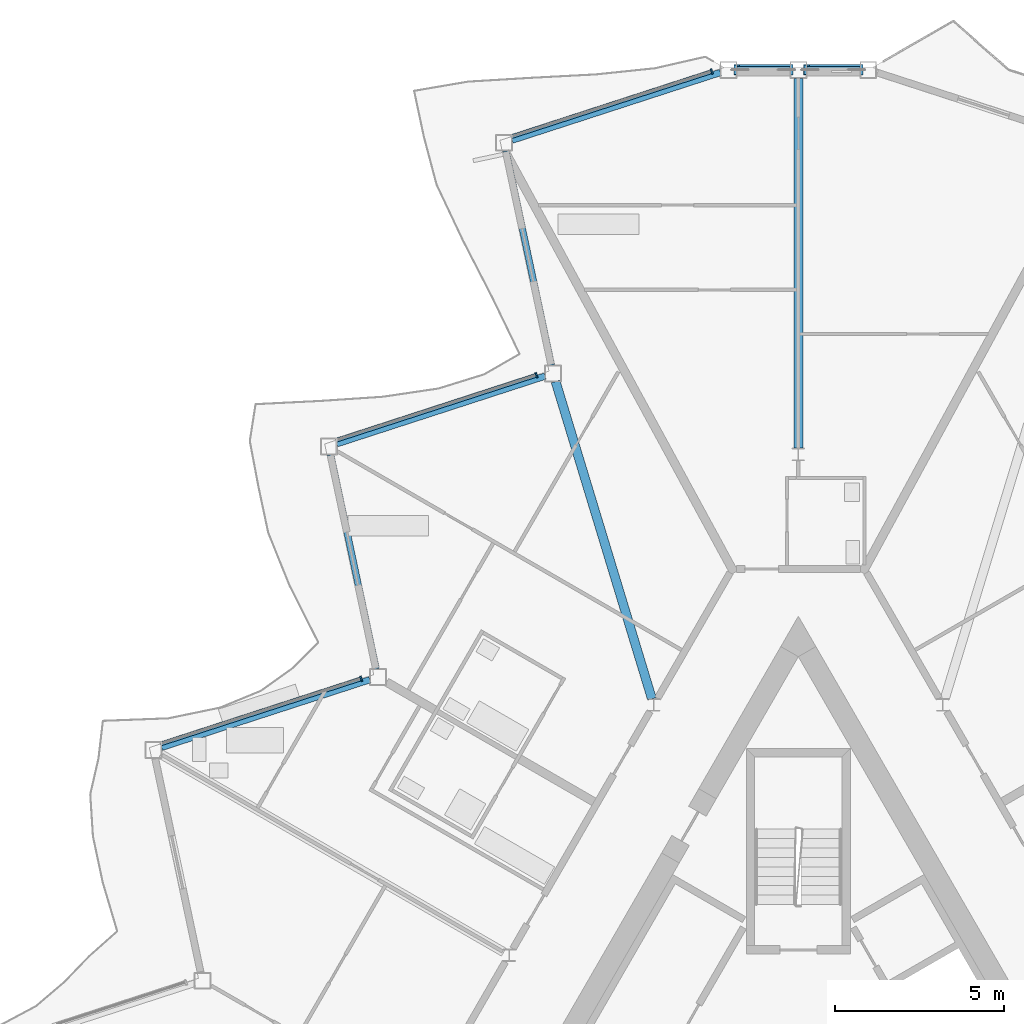
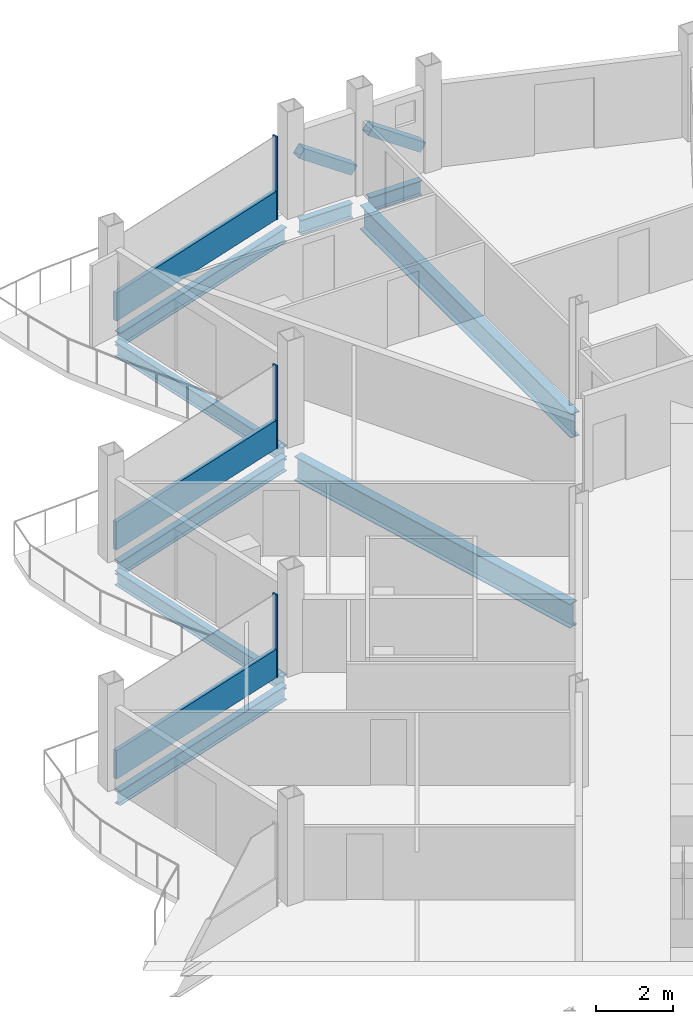
# One storey, part 9 of 26: 9 beams, 8 members, 3 elements without a shape of their own.
"""IFC4 building model written with IfcOpenShell, lengths in metres."""

import ifcopenshell
import ifcopenshell.guid

model = None  # the IFC model being written
_history = None  # IfcOwnerHistory: only IFC2X3 demands one
_inside = {}  # id of a spatial element -> (the spatial element, [elements in it])
_under = {}  # id of a project, library or spatial element -> (it, [spatial elements below it])
_declared = {}  # id of a project -> (the project, [libraries it declares])
_typed = {}  # id of a type object -> (the type object, [elements of that type])
_made_of = {}  # id of a material, layer set ... -> (it, [elements and type objects made of it])


def new_model(schema):
    """Start an empty IFC model of exactly this schema.

    Asked for "IFC4X3", IfcOpenShell would pick the latest addendum, in which some entities
    have other attributes; the version numbers below select the first issue.
    IFC2X3 requires an IfcOwnerHistory on every rooted entity: one is made here for all.
    """
    global model, _history
    if schema == "IFC4X3":
        model = ifcopenshell.file(schema_version=(4, 3, 0, 0))
    else:
        model = ifcopenshell.file(schema=schema)
    _inside.clear()
    _under.clear()
    _declared.clear()
    _typed.clear()
    _made_of.clear()
    _history = None
    if model.schema == "IFC2X3":
        org = make("IfcOrganization", Name="unknown")
        user = make(
            "IfcPersonAndOrganization",
            ThePerson=make("IfcPerson", FamilyName="unknown"),
            TheOrganization=org,
        )
        app = make(
            "IfcApplication",
            ApplicationDeveloper=org,
            Version="unknown",
            ApplicationFullName="unknown",
            ApplicationIdentifier="unknown",
        )
        _history = make(
            "IfcOwnerHistory",
            OwningUser=user,
            OwningApplication=app,
            ChangeAction="ADDED",
            CreationDate=0,
        )
    return model


def make(cls, **values):
    """One entity of the class cls with the attributes given. An attribute that is None is left unset."""
    return model.create_entity(
        cls, **{name: value for name, value in values.items() if value is not None}
    )


def rooted(cls, **values):
    """An entity with a GlobalId (a new one), such as an element, a storey or a relation."""
    return make(cls, GlobalId=ifcopenshell.guid.new(), OwnerHistory=_history, **values)


def si_unit(unit_type, name, prefix=None):
    """IfcSIUnit, for example si_unit("LENGTHUNIT", "METRE", prefix="MILLI")."""
    return make("IfcSIUnit", UnitType=unit_type, Prefix=prefix, Name=name)


def assignment(units):
    """IfcUnitAssignment: the units of a project."""
    return None if units is None else make("IfcUnitAssignment", Units=units)


def point(xyz):
    """IfcCartesianPoint."""
    return None if xyz is None else make("IfcCartesianPoint", Coordinates=xyz)


def direction(xyz):
    """IfcDirection."""
    return None if xyz is None else make("IfcDirection", DirectionRatios=xyz)


def frame(location, z_axis=None, x_axis=None):
    """IfcAxis2Placement3D, a coordinate frame: its origin and axes. An axis left out is left unset."""
    return make(
        "IfcAxis2Placement3D",
        Location=point(location),
        Axis=direction(z_axis),
        RefDirection=direction(x_axis),
    )


def frame_2d(location, x_axis=None):
    """IfcAxis2Placement2D, a coordinate frame in the plane: its origin and x axis."""
    return make(
        "IfcAxis2Placement2D", Location=point(location), RefDirection=direction(x_axis)
    )


def origin():
    """The frame at (0, 0, 0) with its axes left unset."""
    return frame((0.0, 0.0, 0.0))


def origin_2d():
    """The frame at (0, 0) in the plane with its x axis left unset."""
    return frame_2d((0.0, 0.0))


def place(relative_to, where):
    """IfcLocalPlacement: puts the frame where relative to a parent placement (None: the world)."""
    return make(
        "IfcLocalPlacement", PlacementRelTo=relative_to, RelativePlacement=where
    )


def context(
    kind, dimensions, precision=None, world=None, true_north=None, identifier=None
):
    """IfcGeometricRepresentationContext, for example the 3D "Model" context."""
    return make(
        "IfcGeometricRepresentationContext",
        ContextIdentifier=identifier,
        ContextType=kind,
        CoordinateSpaceDimension=dimensions,
        Precision=precision,
        WorldCoordinateSystem=world,
        TrueNorth=true_north,
    )


def subcontext(parent, identifier, kind, view, scale=None):
    """IfcGeometricRepresentationSubContext, for example "Body" below "Model"."""
    return make(
        "IfcGeometricRepresentationSubContext",
        ContextIdentifier=identifier,
        ContextType=kind,
        ParentContext=parent,
        TargetScale=scale,
        TargetView=view,
    )


def project(units=None, contexts=None):
    """IfcProject with its units and contexts."""
    return rooted(
        "IfcProject",
        Name="project",
        RepresentationContexts=contexts,
        UnitsInContext=assignment(units),
    )


def spatial(cls, under=None, at=None, **own):
    """A site, building, storey or space (cls), placed at a placement, below another one or the project."""
    s = rooted(cls, ObjectPlacement=at, **own)
    if under is not None:
        _under.setdefault(under.id(), (under, []))[1].append(s)
    return s


def profile(cls, at=None, kind="AREA", **sizes):
    """A parametric profile (cls). Its sizes go by their IFC names, for example OverallWidth=200.0."""
    return make(cls, ProfileType=kind, Position=at, **sizes)


def rectangle(**sizes):
    """IfcRectangleProfileDef."""
    return profile("IfcRectangleProfileDef", **sizes)


def hollow_rectangle(**sizes):
    """IfcRectangleHollowProfileDef."""
    return profile("IfcRectangleHollowProfileDef", **sizes)


def i_section(**sizes):
    """IfcIShapeProfileDef."""
    return profile("IfcIShapeProfileDef", **sizes)


def extrude(swept, where, along, depth):
    """IfcExtrudedAreaSolid: the profile swept, set in the frame where, extruded along a direction by depth."""
    return make(
        "IfcExtrudedAreaSolid",
        SweptArea=swept,
        Position=where,
        ExtrudedDirection=direction(along),
        Depth=depth,
    )


def shape(context_of_items, identifier, shape_type, items):
    """IfcShapeRepresentation: the items that make up one representation, for example the "Body"."""
    return make(
        "IfcShapeRepresentation",
        ContextOfItems=context_of_items,
        RepresentationIdentifier=identifier,
        RepresentationType=shape_type,
        Items=items,
    )


def material(Name=None, Category=None):
    """IfcMaterial."""
    return make("IfcMaterial", Name=Name, Category=Category)


def layer(
    of_material, thickness, ventilated=None, Name=None, Category=None, Priority=None
):
    """IfcMaterialLayer: one layer of a wall or slab, of a material (None: an air gap)."""
    return make(
        "IfcMaterialLayer",
        Material=of_material,
        LayerThickness=thickness,
        IsVentilated=ventilated,
        Name=Name,
        Category=Category,
        Priority=Priority,
    )


def layer_set(layers, Name=None):
    """IfcMaterialLayerSet."""
    return make("IfcMaterialLayerSet", MaterialLayers=layers, LayerSetName=Name)


def material_profile(
    of_material, cross_section, Name=None, Category=None, Priority=None
):
    """IfcMaterialProfile: a cross section and its material."""
    return make(
        "IfcMaterialProfile",
        Name=Name,
        Material=of_material,
        Profile=cross_section,
        Priority=Priority,
        Category=Category,
    )


def profile_set(profiles, Name=None, composite=None):
    """IfcMaterialProfileSet."""
    return make(
        "IfcMaterialProfileSet",
        Name=Name,
        MaterialProfiles=profiles,
        CompositeProfile=composite,
    )


def made_of(thing, what):
    """Note that an element or type object is made of a material, layer set ...; save() writes the relation."""
    if what is not None:
        _made_of.setdefault(what.id(), (what, []))[1].append(thing)
    return thing


def type_object(cls, material=None, **own):
    """A type object (cls), such as IfcWallType, which elements share."""
    return made_of(rooted(cls, **own), material)


def element(
    cls,
    number,
    at=None,
    inside=None,
    cuts=None,
    type_object=None,
    material=None,
    context=None,
    identifier="Body",
    shape_type=None,
    held_by="IfcProductDefinitionShape",
    body=None,
    shapes=None,
    **own,
):
    """One element of the class cls, such as IfcWall. Its Tag is "e" and its number.

    at: its placement. inside: the storey or other place that contains it. cuts: it is an
    opening in that element (IfcRelVoidsElement). A single representation is given by context,
    identifier, shape_type and body (its items); several are given by shapes. held_by: the class
    of the entity that holds the representations. save() writes the other relations.
    """
    e = rooted(cls, Tag="e%d" % number, ObjectPlacement=at, **own)
    if body is not None:
        shapes = [shape(context, identifier, shape_type, body)]
    if shapes is not None:
        e.Representation = make(held_by, Representations=shapes)
    if inside is not None:
        _inside.setdefault(inside.id(), (inside, []))[1].append(e)
    if cuts is not None:
        rooted(
            "IfcRelVoidsElement", RelatingBuildingElement=cuts, RelatedOpeningElement=e
        )
    if type_object is not None:
        _typed.setdefault(type_object.id(), (type_object, []))[1].append(e)
    return made_of(e, material)


def aggregate(whole, parts):
    """IfcRelAggregates: a whole, such as a stair, and the parts it consists of."""
    return rooted("IfcRelAggregates", RelatingObject=whole, RelatedObjects=parts)


def save(model, path):
    """Write the relations noted so far, then the file.

    IfcRelAggregates (storeys below a building ...), IfcRelContainedInSpatialStructure (elements
    in a storey), IfcRelDefinesByType, IfcRelAssociatesMaterial and IfcRelDeclares: one each for
    every whole, place, type object, material and project.
    """
    for whole, parts in _under.values():
        aggregate(whole, parts)
    for where, things in _inside.values():
        rooted(
            "IfcRelContainedInSpatialStructure",
            RelatedElements=things,
            RelatingStructure=where,
        )
    for kind, things in _typed.values():
        rooted("IfcRelDefinesByType", RelatedObjects=things, RelatingType=kind)
    for what, things in _made_of.values():
        rooted("IfcRelAssociatesMaterial", RelatedObjects=things, RelatingMaterial=what)
    for by, libraries in _declared.values():
        rooted("IfcRelDeclares", RelatingContext=by, RelatedDefinitions=libraries)
    model.write(path)


model = new_model("IFC4")

# Units and contexts
model_context = context("Model", 3, precision=1e-05, world=origin(), true_north=direction((0.0, 1.0)))
body_context = subcontext(model_context, "Body", "Model", "MODEL_VIEW")
ifc_project = project(units=[si_unit("LENGTHUNIT", "METRE"), si_unit("AREAUNIT", "SQUARE_METRE"), si_unit("VOLUMEUNIT", "CUBIC_METRE"), si_unit("PLANEANGLEUNIT", "RADIAN"), si_unit("MASSUNIT", "GRAM", prefix="KILO")], contexts=[model_context])

# Site, building, storey
site_placement = place(None, origin())
site = spatial("IfcSite", under=ifc_project, at=site_placement, CompositionType="ELEMENT")
building_placement = place(site_placement, origin())
building = spatial("IfcBuilding", under=site, at=building_placement, Name="Cormorant Prow Tower", CompositionType="ELEMENT")
storey_placement = place(building_placement, frame((0.0, 0.0, 401.800048828125)))
storey = spatial("IfcBuildingStorey", under=building, at=storey_placement, Name="L92", CompositionType="ELEMENT", Elevation=401.800048828125)

# Members
ifc_material_1 = material(Name="Structural steel ASTM A500 Gr C", Category="steel")
ifc_material_profile_1 = material_profile(ifc_material_1, hollow_rectangle(XDim=0.3046875, YDim=0.3046875, WallThickness=0.01171875, at=origin_2d()), Name="HSS12x12x1/2")
ifc_profile_set_1 = profile_set([ifc_material_profile_1], Name="Structural steel ASTM A500 Gr C")
member_type_1 = type_object("IfcMemberType", Name="Chamfer brace HSS12x12x1/2", PredefinedType="BRACE", material=ifc_profile_set_1)
for number, where, z_axis, x_axis, name in (
    (1, (1.8271484375, 31.219482421875, 0.7705078125), (-0.82250770082, 0.0, 0.568753973254), (0.0, -1.0, 0.0), "Chamfer brace BR3 at N00 L92"),
    (2, (-0.246826171875, 31.219482421875, 0.7705078125), (-0.82250770082, 0.0, 0.568753973254), (0.0, -1.0, 0.0), "Chamfer brace BR3 at N01 L92"),
):
    element("IfcMember", number, at=place(storey_placement, frame(where, z_axis=z_axis, x_axis=x_axis)), inside=storey, type_object=member_type_1, Name=name, PredefinedType="BRACE", context=body_context, shape_type="SweptSolid", body=[
        extrude(hollow_rectangle(XDim=0.3046875, YDim=0.3046875, WallThickness=0.01171875, at=origin_2d()), origin(), (0.0, 0.0, 1.0), 1.92138671875),
    ])

# Beams
ifc_material_2 = material(Name="Structural steel ASTM A992 Gr 50", Category="steel")
ifc_material_profile_2 = material_profile(ifc_material_2, i_section(OverallWidth=0.267822265625, OverallDepth=0.77001953125, WebThickness=0.015625, FlangeThickness=0.025390625, at=origin_2d()), Name="W30x132")
ifc_profile_set_2 = profile_set([ifc_material_profile_2], Name="Structural steel ASTM A992 Gr 50")
beam_type_1 = type_object("IfcBeamType", Name="Radial floor beam W30x132", PredefinedType="BEAM", material=ifc_profile_set_2)
beam_1_placement = place(storey_placement, frame((0.0, 19.998046875, -0.68505859375), z_axis=(0.0, 1.0, 0.0), x_axis=(-1.0, 0.0, 0.0)))
element("IfcBeam", 3, at=beam_1_placement, inside=storey, type_object=beam_type_1, Name="Radial floor beam FB3 1 L92", PredefinedType="BEAM", context=body_context, shape_type="SweptSolid", body=[
    extrude(i_section(OverallWidth=0.267822265625, OverallDepth=0.77001953125, WebThickness=0.015625, FlangeThickness=0.025390625, at=origin_2d()), origin(), (0.0, 0.0, 1.0), 10.971435546875),
])
beam_2_placement = place(storey_placement, frame((-4.343505859375, 12.560791015625, -0.68505859375), z_axis=(-0.290499864147, 0.956875033079, 0.0), x_axis=(-0.956875033079, -0.290499864147, 0.0)))
element("IfcBeam", 4, at=beam_2_placement, inside=storey, type_object=beam_type_1, Name="Radial floor beam FB3 2 L92", PredefinedType="BEAM", context=body_context, shape_type="SweptSolid", body=[
    extrude(i_section(OverallWidth=0.267822265625, OverallDepth=0.77001953125, WebThickness=0.015625, FlangeThickness=0.025390625, at=origin_2d()), origin(), (0.0, 0.0, 1.0), 9.837158203125),
])

# Curtain wall, member
ifc_material_3 = material(Name="Aluminium 6063-T6", Category="aluminium")
ifc_layer = layer(ifc_material_3, 0.159912109375)
ifc_layer_set = layer_set([ifc_layer], Name="Aluminium 6063-T6")
curtain_wall_type = type_object("IfcCurtainWallType", Name="Residential unitised curtain wall 160", PredefinedType="NOTDEFINED", material=ifc_layer_set)
curtain_wall_1_placement = place(storey_placement, origin())
curtain_wall_1 = element("IfcCurtainWall", 5, at=curtain_wall_1_placement, inside=storey, type_object=curtain_wall_type, Name="Residential curtain wall WNW00", PredefinedType="NOTDEFINED")
ifc_material_4 = material(Name="Aluminium 6063-T6", Category="aluminium")
ifc_material_profile_3 = material_profile(ifc_material_4, rectangle(XDim=0.159912109375, YDim=0.050048828125, at=origin_2d()), Name="Residential mullion 50x160")
ifc_profile_set_3 = profile_set([ifc_material_profile_3], Name="Aluminium 6063-T6")
member_type_2 = type_object("IfcMemberType", Name="Residential mullion 50x160", PredefinedType="MULLION", material=ifc_profile_set_3)
member_1_placement = place(storey_placement, frame((-2.569580078125, 31.170166015625, 0.0), z_axis=(0.0, 0.0, 1.0), x_axis=(0.309016937108, -0.951056534902, 0.0)))
member_1 = element("IfcMember", 6, at=member_1_placement, type_object=member_type_2, Name="Residential mullion WNW00", PredefinedType="MULLION", context=body_context, shape_type="SweptSolid", body=[
    extrude(rectangle(XDim=0.159912109375, YDim=0.050048828125, at=origin_2d()), origin(), (0.0, 0.0, 1.0), 2.6337890625),
])

curtain_wall_2_placement = place(storey_placement, origin())
curtain_wall_2 = element("IfcCurtainWall", 7, at=curtain_wall_2_placement, inside=storey, type_object=curtain_wall_type, Name="Residential curtain wall WNW02", PredefinedType="NOTDEFINED")
member_2_placement = place(storey_placement, frame((-7.76953125, 22.16357421875, 0.0), z_axis=(0.0, 0.0, 1.0), x_axis=(0.309016937108, -0.951056534902, 0.0)))
member_2 = element("IfcMember", 8, at=member_2_placement, type_object=member_type_2, Name="Residential mullion WNW02", PredefinedType="MULLION", context=body_context, shape_type="SweptSolid", body=[
    extrude(rectangle(XDim=0.159912109375, YDim=0.050048828125, at=origin_2d()), origin(), (0.0, 0.0, 1.0), 2.6337890625),
])

curtain_wall_3_placement = place(storey_placement, origin())
curtain_wall_3 = element("IfcCurtainWall", 9, at=curtain_wall_3_placement, inside=storey, type_object=curtain_wall_type, Name="Residential curtain wall WNW04", PredefinedType="NOTDEFINED")
member_3_placement = place(storey_placement, frame((-12.9697265625, 13.156982421875, 0.0), z_axis=(0.0, 0.0, 1.0), x_axis=(0.309017066365, -0.951056492904, 0.0)))
member_3 = element("IfcMember", 10, at=member_3_placement, type_object=member_type_2, Name="Residential mullion WNW04", PredefinedType="MULLION", context=body_context, shape_type="SweptSolid", body=[
    extrude(rectangle(XDim=0.159912109375, YDim=0.050048828125, at=origin_2d()), origin(), (0.0, 0.0, 1.0), 2.6337890625),
])

# Member
ifc_material_5 = material(Name="Terracotta", Category="masonry")
ifc_material_profile_4 = material_profile(ifc_material_5, rectangle(XDim=0.1201171875, YDim=0.89990234375, at=origin_2d()), Name="Residential terracotta spandrel rail 120x900")
ifc_profile_set_4 = profile_set([ifc_material_profile_4], Name="Terracotta")
member_type_3 = type_object("IfcMemberType", Name="Residential terracotta spandrel rail 120x900", PredefinedType="USERDEFINED", material=ifc_profile_set_4)
member_4_placement = place(storey_placement, frame((-2.593505859375, 31.16259765625, 0.449951171875), z_axis=(-0.951056004715, -0.309018568854, 0.0), x_axis=(0.309018568854, -0.951056004715, 0.0)))
member_4 = element("IfcMember", 11, at=member_4_placement, type_object=member_type_3, Name="Residential spandrel rail WNW00", ObjectType="TRANSOM", PredefinedType="USERDEFINED", context=body_context, shape_type="SweptSolid", body=[
    extrude(rectangle(XDim=0.1201171875, YDim=0.89990234375, at=origin_2d()), origin(), (0.0, 0.0, 1.0), 6.21533203125),
])

aggregate(curtain_wall_1, [member_1, member_4])

member_5_placement = place(storey_placement, frame((-7.79345703125, 22.156005859375, 0.449951171875), z_axis=(-0.951056004715, -0.309018568854, 0.0), x_axis=(0.309018568854, -0.951056004715, 0.0)))
member_5 = element("IfcMember", 12, at=member_5_placement, type_object=member_type_3, Name="Residential spandrel rail WNW02", ObjectType="TRANSOM", PredefinedType="USERDEFINED", context=body_context, shape_type="SweptSolid", body=[
    extrude(rectangle(XDim=0.1201171875, YDim=0.89990234375, at=origin_2d()), origin(), (0.0, 0.0, 1.0), 6.21533203125),
])

aggregate(curtain_wall_2, [member_2, member_5])

member_6_placement = place(storey_placement, frame((-12.993408203125, 13.149169921875, 0.449951171875), z_axis=(-0.951056004715, -0.309018568854, 0.0), x_axis=(0.309018568854, -0.951056004715, 0.0)))
member_6 = element("IfcMember", 13, at=member_6_placement, type_object=member_type_3, Name="Residential spandrel rail WNW04", ObjectType="TRANSOM", PredefinedType="USERDEFINED", context=body_context, shape_type="SweptSolid", body=[
    extrude(rectangle(XDim=0.1201171875, YDim=0.89990234375, at=origin_2d()), origin(), (0.0, 0.0, 1.0), 6.21533203125),
])

aggregate(curtain_wall_3, [member_3, member_6])

# Beams
ifc_material_6 = material(Name="Structural steel ASTM A992 Gr 50", Category="steel")
ifc_material_profile_5 = material_profile(ifc_material_6, i_section(OverallWidth=0.19287109375, OverallDepth=0.466064453125, WebThickness=0.011474609375, FlangeThickness=0.01904296875, at=origin_2d()), Name="W18x65")
ifc_profile_set_5 = profile_set([ifc_material_profile_5], Name="Structural steel ASTM A992 Gr 50")
beam_type_2 = type_object("IfcBeamType", Name="Spandrel beam W18x65", PredefinedType="SPANDREL", material=ifc_profile_set_5)
for number, where, z_axis, x_axis, name in (
    (14, (1.82373046875, 31.219482421875, -0.533203125), (-1.0, 0.0, 0.0), (0.0, -1.0, 0.0), "Spandrel beam SB4 N00-N01 L92"),
    (15, (-0.25, 31.219482421875, -0.533203125), (-1.0, 0.0, 0.0), (0.0, -1.0, 0.0), "Spandrel beam SB4 N01-WNW00 L92"),
):
    element("IfcBeam", number, at=place(storey_placement, frame(where, z_axis=z_axis, x_axis=x_axis)), inside=storey, type_object=beam_type_2, Name=name, PredefinedType="SPANDREL", context=body_context, shape_type="SweptSolid", body=[
        extrude(i_section(OverallWidth=0.19287109375, OverallDepth=0.466064453125, WebThickness=0.011474609375, FlangeThickness=0.01904296875, at=origin_2d()), origin(), (0.0, 0.0, 1.0), 1.57373046875),
    ])
for number, where, z_axis, x_axis, name in (
    (16, (-2.3115234375, 31.142333984375, -0.533203125), (-0.951056984862, -0.30901555227, 0.0), (0.30901555227, -0.951056984862, 0.0), "Spandrel beam SB4 WNW00-WNW01 L92"),
    (17, (-8.6767578125, 28.812744140625, -0.533203125), (0.20793784774, -0.978142040543, 0.0), (0.978142040543, 0.20793784774, 0.0), "Spandrel beam SB4 WNW01-WNW02 L92"),
):
    element("IfcBeam", number, at=place(storey_placement, frame(where, z_axis=z_axis, x_axis=x_axis)), inside=storey, type_object=beam_type_2, Name=name, PredefinedType="SPANDREL", context=body_context, shape_type="SweptSolid", body=[
        extrude(i_section(OverallWidth=0.19287109375, OverallDepth=0.466064453125, WebThickness=0.011474609375, FlangeThickness=0.01904296875, at=origin_2d()), origin(), (0.0, 0.0, 1.0), 6.49755859375),
    ])
beam_3_placement = place(storey_placement, frame((-7.511474609375, 22.135498046875, -0.533203125), z_axis=(-0.951068027308, -0.308981564875, 0.0), x_axis=(0.308981564875, -0.951068027308, 0.0)))
element("IfcBeam", 18, at=beam_3_placement, inside=storey, type_object=beam_type_2, Name="Spandrel beam SB4 WNW02-WNW03 L92", PredefinedType="SPANDREL", context=body_context, shape_type="SweptSolid", body=[
    extrude(i_section(OverallWidth=0.19287109375, OverallDepth=0.466064453125, WebThickness=0.011474609375, FlangeThickness=0.01904296875, at=origin_2d()), origin(), (0.0, 0.0, 1.0), 6.497314453125),
])
beam_4_placement = place(storey_placement, frame((-13.876708984375, 19.80615234375, -0.533203125), z_axis=(0.207901897373, -0.978149682344, 0.0), x_axis=(0.978149682344, 0.207901897373, 0.0)))
element("IfcBeam", 19, at=beam_4_placement, inside=storey, type_object=beam_type_2, Name="Spandrel beam SB4 WNW03-WNW04 L92", PredefinedType="SPANDREL", context=body_context, shape_type="SweptSolid", body=[
    extrude(i_section(OverallWidth=0.19287109375, OverallDepth=0.466064453125, WebThickness=0.011474609375, FlangeThickness=0.01904296875, at=origin_2d()), origin(), (0.0, 0.0, 1.0), 6.49755859375),
])
beam_5_placement = place(storey_placement, frame((-12.711669921875, 13.12890625, -0.533203125), z_axis=(-0.951053396625, -0.309026595569, 0.0), x_axis=(0.309026595569, -0.951053396625, 0.0)))
element("IfcBeam", 20, at=beam_5_placement, inside=storey, type_object=beam_type_2, Name="Spandrel beam SB4 WNW04-WNW05 L92", PredefinedType="SPANDREL", context=body_context, shape_type="SweptSolid", body=[
    extrude(i_section(OverallWidth=0.19287109375, OverallDepth=0.466064453125, WebThickness=0.011474609375, FlangeThickness=0.01904296875, at=origin_2d()), origin(), (0.0, 0.0, 1.0), 6.497314453125),
])

save(model, "model.ifc")
